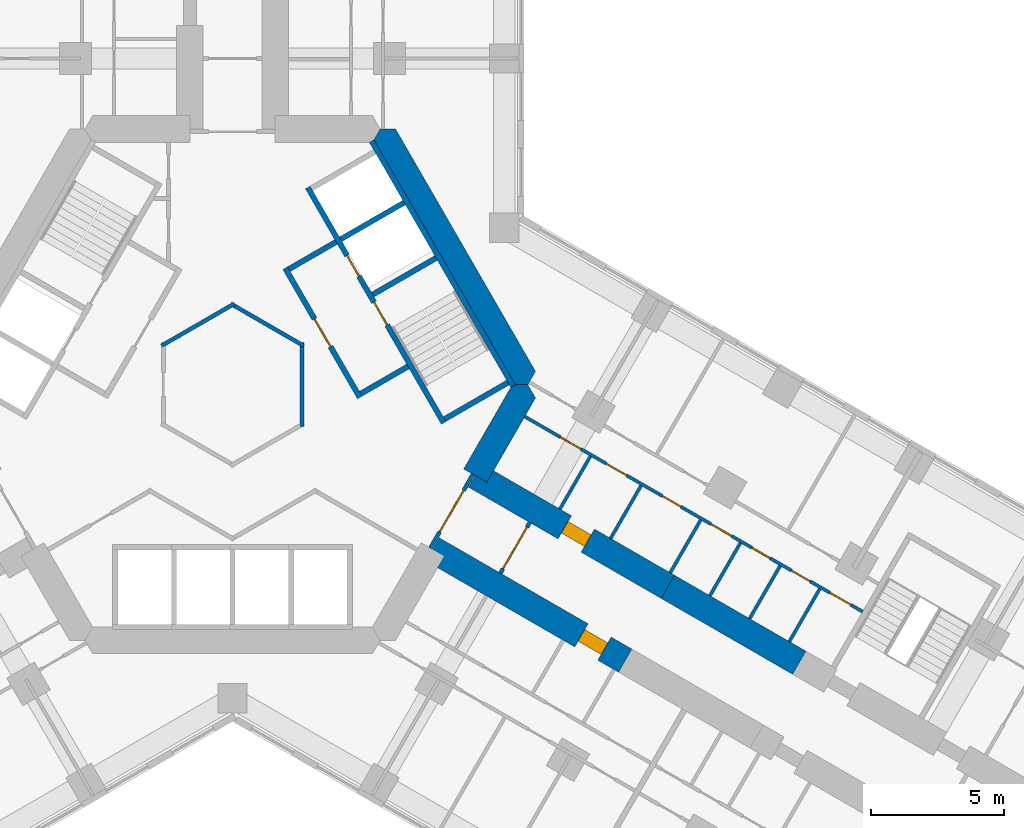
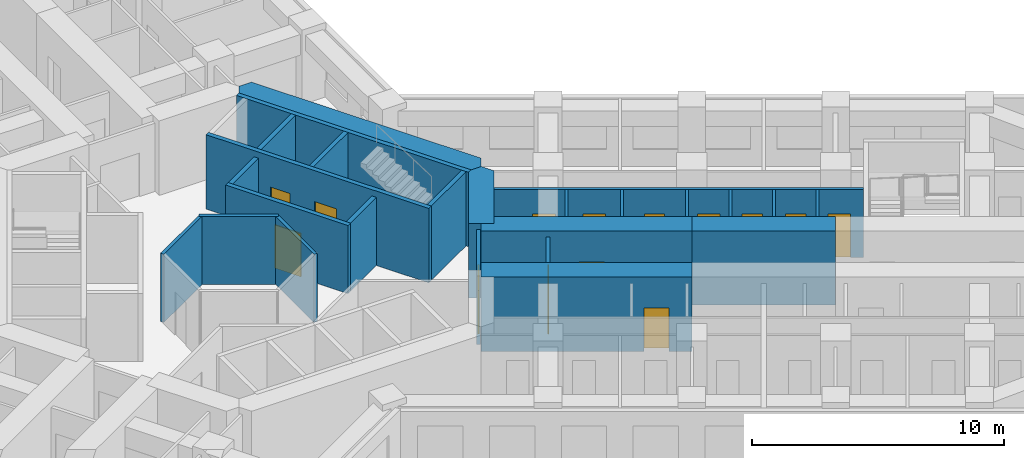
# One storey, part 15 of 21: 25 walls, 14 doors, 14 openings.
"""IFC4 building model written with IfcOpenShell, lengths in metres."""

import ifcopenshell
import ifcopenshell.guid

model = None  # the IFC model being written
_history = None  # IfcOwnerHistory: only IFC2X3 demands one
_inside = {}  # id of a spatial element -> (the spatial element, [elements in it])
_under = {}  # id of a project, library or spatial element -> (it, [spatial elements below it])
_declared = {}  # id of a project -> (the project, [libraries it declares])
_typed = {}  # id of a type object -> (the type object, [elements of that type])
_made_of = {}  # id of a material, layer set ... -> (it, [elements and type objects made of it])


def new_model(schema):
    """Start an empty IFC model of exactly this schema.

    Asked for "IFC4X3", IfcOpenShell would pick the latest addendum, in which some entities
    have other attributes; the version numbers below select the first issue.
    IFC2X3 requires an IfcOwnerHistory on every rooted entity: one is made here for all.
    """
    global model, _history
    if schema == "IFC4X3":
        model = ifcopenshell.file(schema_version=(4, 3, 0, 0))
    else:
        model = ifcopenshell.file(schema=schema)
    _inside.clear()
    _under.clear()
    _declared.clear()
    _typed.clear()
    _made_of.clear()
    _history = None
    if model.schema == "IFC2X3":
        org = make("IfcOrganization", Name="unknown")
        user = make(
            "IfcPersonAndOrganization",
            ThePerson=make("IfcPerson", FamilyName="unknown"),
            TheOrganization=org,
        )
        app = make(
            "IfcApplication",
            ApplicationDeveloper=org,
            Version="unknown",
            ApplicationFullName="unknown",
            ApplicationIdentifier="unknown",
        )
        _history = make(
            "IfcOwnerHistory",
            OwningUser=user,
            OwningApplication=app,
            ChangeAction="ADDED",
            CreationDate=0,
        )
    return model


def make(cls, **values):
    """One entity of the class cls with the attributes given. An attribute that is None is left unset."""
    return model.create_entity(
        cls, **{name: value for name, value in values.items() if value is not None}
    )


def rooted(cls, **values):
    """An entity with a GlobalId (a new one), such as an element, a storey or a relation."""
    return make(cls, GlobalId=ifcopenshell.guid.new(), OwnerHistory=_history, **values)


def si_unit(unit_type, name, prefix=None):
    """IfcSIUnit, for example si_unit("LENGTHUNIT", "METRE", prefix="MILLI")."""
    return make("IfcSIUnit", UnitType=unit_type, Prefix=prefix, Name=name)


def assignment(units):
    """IfcUnitAssignment: the units of a project."""
    return None if units is None else make("IfcUnitAssignment", Units=units)


def point(xyz):
    """IfcCartesianPoint."""
    return None if xyz is None else make("IfcCartesianPoint", Coordinates=xyz)


def direction(xyz):
    """IfcDirection."""
    return None if xyz is None else make("IfcDirection", DirectionRatios=xyz)


def frame(location, z_axis=None, x_axis=None):
    """IfcAxis2Placement3D, a coordinate frame: its origin and axes. An axis left out is left unset."""
    return make(
        "IfcAxis2Placement3D",
        Location=point(location),
        Axis=direction(z_axis),
        RefDirection=direction(x_axis),
    )


def frame_2d(location, x_axis=None):
    """IfcAxis2Placement2D, a coordinate frame in the plane: its origin and x axis."""
    return make(
        "IfcAxis2Placement2D", Location=point(location), RefDirection=direction(x_axis)
    )


def origin():
    """The frame at (0, 0, 0) with its axes left unset."""
    return frame((0.0, 0.0, 0.0))


def place(relative_to, where):
    """IfcLocalPlacement: puts the frame where relative to a parent placement (None: the world)."""
    return make(
        "IfcLocalPlacement", PlacementRelTo=relative_to, RelativePlacement=where
    )


def context(
    kind, dimensions, precision=None, world=None, true_north=None, identifier=None
):
    """IfcGeometricRepresentationContext, for example the 3D "Model" context."""
    return make(
        "IfcGeometricRepresentationContext",
        ContextIdentifier=identifier,
        ContextType=kind,
        CoordinateSpaceDimension=dimensions,
        Precision=precision,
        WorldCoordinateSystem=world,
        TrueNorth=true_north,
    )


def subcontext(parent, identifier, kind, view, scale=None):
    """IfcGeometricRepresentationSubContext, for example "Body" below "Model"."""
    return make(
        "IfcGeometricRepresentationSubContext",
        ContextIdentifier=identifier,
        ContextType=kind,
        ParentContext=parent,
        TargetScale=scale,
        TargetView=view,
    )


def project(units=None, contexts=None):
    """IfcProject with its units and contexts."""
    return rooted(
        "IfcProject",
        Name="project",
        RepresentationContexts=contexts,
        UnitsInContext=assignment(units),
    )


def spatial(cls, under=None, at=None, **own):
    """A site, building, storey or space (cls), placed at a placement, below another one or the project."""
    s = rooted(cls, ObjectPlacement=at, **own)
    if under is not None:
        _under.setdefault(under.id(), (under, []))[1].append(s)
    return s


def polyline(points):
    """IfcPolyline through the points."""
    return make("IfcPolyline", Points=[point(p) for p in points])


def profile(cls, at=None, kind="AREA", **sizes):
    """A parametric profile (cls). Its sizes go by their IFC names, for example OverallWidth=200.0."""
    return make(cls, ProfileType=kind, Position=at, **sizes)


def rectangle(**sizes):
    """IfcRectangleProfileDef."""
    return profile("IfcRectangleProfileDef", **sizes)


def outline(outer, holes=None, kind="AREA"):
    """IfcArbitraryClosedProfileDef: a profile drawn as a closed curve; with holes, ...WithVoids."""
    if holes is None:
        return make("IfcArbitraryClosedProfileDef", ProfileType=kind, OuterCurve=outer)
    return make(
        "IfcArbitraryProfileDefWithVoids",
        ProfileType=kind,
        OuterCurve=outer,
        InnerCurves=holes,
    )


def extrude(swept, where, along, depth):
    """IfcExtrudedAreaSolid: the profile swept, set in the frame where, extruded along a direction by depth."""
    return make(
        "IfcExtrudedAreaSolid",
        SweptArea=swept,
        Position=where,
        ExtrudedDirection=direction(along),
        Depth=depth,
    )


def shape(context_of_items, identifier, shape_type, items):
    """IfcShapeRepresentation: the items that make up one representation, for example the "Body"."""
    return make(
        "IfcShapeRepresentation",
        ContextOfItems=context_of_items,
        RepresentationIdentifier=identifier,
        RepresentationType=shape_type,
        Items=items,
    )


def material(Name=None, Category=None):
    """IfcMaterial."""
    return make("IfcMaterial", Name=Name, Category=Category)


def layer(
    of_material, thickness, ventilated=None, Name=None, Category=None, Priority=None
):
    """IfcMaterialLayer: one layer of a wall or slab, of a material (None: an air gap)."""
    return make(
        "IfcMaterialLayer",
        Material=of_material,
        LayerThickness=thickness,
        IsVentilated=ventilated,
        Name=Name,
        Category=Category,
        Priority=Priority,
    )


def layer_set(layers, Name=None):
    """IfcMaterialLayerSet."""
    return make("IfcMaterialLayerSet", MaterialLayers=layers, LayerSetName=Name)


def made_of(thing, what):
    """Note that an element or type object is made of a material, layer set ...; save() writes the relation."""
    if what is not None:
        _made_of.setdefault(what.id(), (what, []))[1].append(thing)
    return thing


def type_object(cls, material=None, **own):
    """A type object (cls), such as IfcWallType, which elements share."""
    return made_of(rooted(cls, **own), material)


def element(
    cls,
    number,
    at=None,
    inside=None,
    cuts=None,
    type_object=None,
    material=None,
    context=None,
    identifier="Body",
    shape_type=None,
    held_by="IfcProductDefinitionShape",
    body=None,
    shapes=None,
    **own,
):
    """One element of the class cls, such as IfcWall. Its Tag is "e" and its number.

    at: its placement. inside: the storey or other place that contains it. cuts: it is an
    opening in that element (IfcRelVoidsElement). A single representation is given by context,
    identifier, shape_type and body (its items); several are given by shapes. held_by: the class
    of the entity that holds the representations. save() writes the other relations.
    """
    e = rooted(cls, Tag="e%d" % number, ObjectPlacement=at, **own)
    if body is not None:
        shapes = [shape(context, identifier, shape_type, body)]
    if shapes is not None:
        e.Representation = make(held_by, Representations=shapes)
    if inside is not None:
        _inside.setdefault(inside.id(), (inside, []))[1].append(e)
    if cuts is not None:
        rooted(
            "IfcRelVoidsElement", RelatingBuildingElement=cuts, RelatedOpeningElement=e
        )
    if type_object is not None:
        _typed.setdefault(type_object.id(), (type_object, []))[1].append(e)
    return made_of(e, material)


def fill(opening, filler):
    """IfcRelFillsElement: the door or window that sits in an opening."""
    return rooted(
        "IfcRelFillsElement",
        RelatingOpeningElement=opening,
        RelatedBuildingElement=filler,
    )


def aggregate(whole, parts):
    """IfcRelAggregates: a whole, such as a stair, and the parts it consists of."""
    return rooted("IfcRelAggregates", RelatingObject=whole, RelatedObjects=parts)


def save(model, path):
    """Write the relations noted so far, then the file.

    IfcRelAggregates (storeys below a building ...), IfcRelContainedInSpatialStructure (elements
    in a storey), IfcRelDefinesByType, IfcRelAssociatesMaterial and IfcRelDeclares: one each for
    every whole, place, type object, material and project.
    """
    for whole, parts in _under.values():
        aggregate(whole, parts)
    for where, things in _inside.values():
        rooted(
            "IfcRelContainedInSpatialStructure",
            RelatedElements=things,
            RelatingStructure=where,
        )
    for kind, things in _typed.values():
        rooted("IfcRelDefinesByType", RelatedObjects=things, RelatingType=kind)
    for what, things in _made_of.values():
        rooted("IfcRelAssociatesMaterial", RelatedObjects=things, RelatingMaterial=what)
    for by, libraries in _declared.values():
        rooted("IfcRelDeclares", RelatingContext=by, RelatedDefinitions=libraries)
    model.write(path)


model = new_model("IFC4")

# Units and contexts
model_context = context("Model", 3, precision=1e-05, world=origin(), true_north=direction((0.0, 1.0)))
body_context = subcontext(model_context, "Body", "Model", "MODEL_VIEW")
ifc_project = project(units=[si_unit("LENGTHUNIT", "METRE"), si_unit("AREAUNIT", "SQUARE_METRE"), si_unit("VOLUMEUNIT", "CUBIC_METRE"), si_unit("PLANEANGLEUNIT", "RADIAN"), si_unit("MASSUNIT", "GRAM", prefix="KILO")], contexts=[model_context])

# Site, building, storey
site_placement = place(None, origin())
site = spatial("IfcSite", under=ifc_project, at=site_placement, CompositionType="ELEMENT")
building_placement = place(site_placement, origin())
building = spatial("IfcBuilding", under=site, at=building_placement, Name="Kosmar Iwan School Tower", CompositionType="ELEMENT")
storey_placement = place(building_placement, frame((0.0, 0.0, 28.800048828125)))
storey = spatial("IfcBuildingStorey", under=building, at=storey_placement, Name="L06", CompositionType="ELEMENT", Elevation=28.800048828125)

# Walls
ifc_material_1 = material(Name="Gypsum board on steel studs, fire-rated", Category="steel")
ifc_layer_1 = layer(ifc_material_1, 0.14990234375)
ifc_layer_set_1 = layer_set([ifc_layer_1], Name="Core room partition 150")
wall_type_1 = type_object("IfcWallType", Name="Core room partition 150", PredefinedType="PARTITIONING", material=ifc_layer_set_1)
for number, where, z_axis, x_axis, name in (
    (1, (-2.6650390625, 1.463623046875, 0.0), (0.0, 0.0, 1.0), (0.866023080072, 0.500004024767, 0.0), "Core room partition L06-CW7"),
    (2, (-0.06494140625, 3.039794921875, 0.0), (0.0, 0.0, 1.0), (0.866023080072, -0.500004024767, 0.0), "Core room partition L06-CW8"),
    (3, (2.60009765625, 1.576171875, 0.0), (0.0, 0.0, 1.0), (0.0, -1.0, 0.0), "Core room partition L06-CW9"),
):
    element("IfcWall", number, at=place(storey_placement, frame(where, z_axis=z_axis, x_axis=x_axis)), inside=storey, type_object=wall_type_1, Name=name, PredefinedType="PARTITIONING", context=body_context, shape_type="SweptSolid", body=[
        extrude(rectangle(XDim=3.15234375, YDim=0.14990234375, at=frame_2d((1.576171875, 0.0))), origin(), (0.0, 0.0, 1.0), 3.300048828125),
    ])
ifc_material_2 = material(Name="Concrete C50/60", Category="concrete")
ifc_layer_2 = layer(ifc_material_2, 1.0)
ifc_layer_set_2 = layer_set([ifc_layer_2], Name="Core wall 1000")
wall_type_2 = type_object("IfcWallType", Name="Core wall 1000", PredefinedType="SHEAR", material=ifc_layer_set_2)
wall_1_placement = place(storey_placement, origin())
element("IfcWall", 4, at=wall_1_placement, inside=storey, type_object=wall_type_2, Name="Core wall F030", PredefinedType="SHEAR", context=body_context, shape_type="SweptSolid", body=[
    extrude(outline(polyline([(10.5078125, 0.0), (11.085205078125, 0.0), (11.373779296875, 0.5), (6.119873046875, 9.60009765625), (5.54248046875, 9.60009765625), (5.25390625, 9.10009765625), (10.5078125, 0.0)])), origin(), (0.0, 0.0, 1.0), 3.599853515625),
])
wall_2_placement = place(storey_placement, origin())
element("IfcWall", 5, at=wall_2_placement, inside=storey, type_object=wall_type_2, Name="Core wall F330b", PredefinedType="SHEAR", context=body_context, shape_type="SweptSolid", body=[
    extrude(outline(polyline([(9.546875, -3.664306640625), (11.373779296875, -0.5), (11.085205078125, 0.0), (10.5078125, 0.0), (8.680908203125, -3.164306640625), (9.546875, -3.664306640625)])), origin(), (0.0, 0.0, 1.0), 3.599853515625),
])

# Wall, opening, door
ifc_material_3 = material(Name="Concrete C50/60", Category="concrete")
ifc_layer_3 = layer(ifc_material_3, 1.0)
ifc_layer_set_3 = layer_set([ifc_layer_3], Name="Corridor buttress wall 1000")
wall_type_3 = type_object("IfcWallType", Name="Corridor buttress wall 1000", PredefinedType="SHEAR", material=ifc_layer_set_3)
wall_3_placement = place(storey_placement, frame((9.11376953125, -3.414306640625, 0.0), z_axis=(0.0, 0.0, 1.0), x_axis=(0.866026859388, -0.499997478812, 0.0)))
wall_3 = element("IfcWall", 6, at=wall_3_placement, inside=storey, type_object=wall_type_3, Name="Corridor wall CL", PredefinedType="SHEAR", context=body_context, shape_type="SweptSolid", body=[
    extrude(rectangle(XDim=8.35009765625, YDim=1.0, at=frame_2d((4.175048828125, 0.0))), origin(), (0.0, 0.0, 1.0), 3.599853515625),
])
opening_1_placement = place(wall_3_placement, frame((3.8798828125, 0.0, 0.0)))
opening_1 = element("IfcOpeningElement", 7, at=opening_1_placement, cuts=wall_3, Name="Opening D1", PredefinedType="OPENING", context=body_context, shape_type="SweptSolid", body=[
    extrude(rectangle(XDim=1.0, YDim=2.10009765625, at=frame_2d((0.5, 1.050048828125))), frame((0.0, 0.511962890625, 0.0), z_axis=(0.0, -1.0, 0.0), x_axis=(1.0, 0.0, 0.0)), (0.0, 0.0, 1.0), 1.02392578125),
])
ifc_material_4 = material(Name="Timber fire door in steel frame", Category="steel")
door_type_1 = type_object("IfcDoorType", Name="Flat entrance door 1000x2100", OperationType="SINGLE_SWING_LEFT", PredefinedType="DOOR", material=ifc_material_4)
door_1_placement = place(opening_1_placement, origin())
door_1 = element("IfcDoor", 8, at=door_1_placement, inside=storey, type_object=door_type_1, Name="Flat L06-CL1 entrance door", OperationType="SINGLE_SWING_LEFT", OverallHeight=2.10009765625, OverallWidth=1.0, PredefinedType="DOOR", context=body_context, shape_type="SweptSolid", body=[
    extrude(rectangle(XDim=1.0, YDim=2.10009765625, at=frame_2d((0.5, 1.050048828125))), frame((0.0, 0.25, 0.0), z_axis=(0.0, -1.0, 0.0), x_axis=(1.0, 0.0, 0.0)), (0.0, 0.0, 1.0), 0.5),
])
fill(opening_1, door_1)

# Wall
wall_4_placement = place(storey_placement, frame((16.34521484375, -7.58935546875, 0.0), z_axis=(0.0, 0.0, 1.0), x_axis=(0.866015111908, -0.50001782563, 0.0)))
element("IfcWall", 9, at=wall_4_placement, inside=storey, type_object=wall_type_3, Name="Corridor wall CL bay 2", PredefinedType="SHEAR", context=body_context, shape_type="SweptSolid", body=[
    extrude(rectangle(XDim=5.699951171875, YDim=1.0, at=frame_2d((2.85009765625, 0.0))), origin(), (0.0, 0.0, 1.0), 3.599853515625),
])

# Wall, opening, door
wall_5_placement = place(storey_placement, frame((7.513916015625, -6.185546875, 0.0), z_axis=(0.0, 0.0, 1.0), x_axis=(0.866019549707, -0.500010139422, 0.0)))
wall_5 = element("IfcWall", 10, at=wall_5_placement, inside=storey, type_object=wall_type_3, Name="Corridor wall CR", PredefinedType="SHEAR", context=body_context, shape_type="SweptSolid", body=[
    extrude(rectangle(XDim=8.349853515625, YDim=1.0, at=frame_2d((4.1748046875, 0.0))), origin(), (0.0, 0.0, 1.0), 3.599853515625),
])
opening_2_placement = place(wall_5_placement, frame((6.449951171875, 0.0, 0.0)))
opening_2 = element("IfcOpeningElement", 11, at=opening_2_placement, cuts=wall_5, Name="Opening D1", PredefinedType="OPENING", context=body_context, shape_type="SweptSolid", body=[
    extrude(rectangle(XDim=1.0, YDim=2.10009765625, at=frame_2d((0.5, 1.050048828125))), frame((0.0, 0.511962890625, 0.0), z_axis=(0.0, -1.0, 0.0), x_axis=(1.0, 0.0, 0.0)), (0.0, 0.0, 1.0), 1.02392578125),
])
door_2_placement = place(opening_2_placement, origin())
door_2 = element("IfcDoor", 12, at=door_2_placement, inside=storey, type_object=door_type_1, Name="Flat L06-CR1 entrance door", OperationType="SINGLE_SWING_RIGHT", OverallHeight=2.10009765625, OverallWidth=1.0, PredefinedType="DOOR", context=body_context, shape_type="SweptSolid", body=[
    extrude(rectangle(XDim=1.0, YDim=2.10009765625, at=frame_2d((0.5, 1.050048828125))), frame((0.0, 0.25, 0.0), z_axis=(0.0, -1.0, 0.0), x_axis=(1.0, 0.0, 0.0)), (0.0, 0.0, 1.0), 0.5),
])
fill(opening_2, door_2)

ifc_material_5 = material(Name="Gypsum board on steel studs, fire-rated", Category="steel")
ifc_layer_4 = layer(ifc_material_5, 0.14990234375)
ifc_layer_set_4 = layer_set([ifc_layer_4], Name="Corridor end wall 150")
wall_type_4 = type_object("IfcWallType", Name="Corridor end wall 150", PredefinedType="PARTITIONING", material=ifc_layer_set_4)
wall_6_placement = place(storey_placement, frame((10.058837890625, -7.07763671875, 0.0), z_axis=(0.0, 0.0, 1.0), x_axis=(0.50002983664, 0.866008176907, 0.0)))
wall_6 = element("IfcWall", 13, at=wall_6_placement, inside=storey, type_object=wall_type_4, Name="Partition L06-C-HW", PredefinedType="PARTITIONING", context=body_context, shape_type="SweptSolid", body=[
    extrude(rectangle(XDim=2.199951171875, YDim=0.14990234375, at=frame_2d((1.10009765625, 0.0))), origin(), (0.0, 0.0, 1.0), 3.300048828125),
])
opening_3_placement = place(wall_6_placement, frame((0.199951171875, 0.0, 0.0)))
opening_3 = element("IfcOpeningElement", 14, at=opening_3_placement, cuts=wall_6, Name="Opening D9", PredefinedType="OPENING", context=body_context, shape_type="SweptSolid", body=[
    extrude(rectangle(XDim=1.800048828125, YDim=2.10009765625, at=frame_2d((0.89990234375, 1.050048828125))), frame((0.0, 0.0869140625, 0.0), z_axis=(0.0, -1.0, 0.0), x_axis=(1.0, 0.0, 0.0)), (0.0, 0.0, 1.0), 0.173828125),
])
ifc_material_6 = material(Name="Steel framed glazed smoke door", Category="steel")
door_type_2 = type_object("IfcDoorType", Name="Corridor smoke door pair 1800x2100", OperationType="DOUBLE_DOOR_DOUBLE_SWING", PredefinedType="DOOR", material=ifc_material_6)
door_3_placement = place(opening_3_placement, origin())
door_3 = element("IfcDoor", 15, at=door_3_placement, inside=storey, type_object=door_type_2, Name="Entrance vestibule smoke doors L06-C", OperationType="DOUBLE_DOOR_DOUBLE_SWING", OverallHeight=2.10009765625, OverallWidth=1.800048828125, PredefinedType="DOOR", context=body_context, shape_type="SweptSolid", body=[
    extrude(rectangle(XDim=1.800048828125, YDim=2.10009765625, at=frame_2d((0.89990234375, 1.050048828125))), frame((0.0, 0.02490234375, 0.0), z_axis=(0.0, -1.0, 0.0), x_axis=(1.0, 0.0, 0.0)), (0.0, 0.0, 1.0), 0.050048828125),
])
fill(opening_3, door_3)

ifc_material_7 = material(Name="Steel framed glazed screen", Category="steel")
ifc_layer_5 = layer(ifc_material_7, 0.14990234375)
ifc_layer_set_5 = layer_set([ifc_layer_5], Name="Corridor screen wall 150")
wall_type_5 = type_object("IfcWallType", Name="Corridor screen wall 150", PredefinedType="PARTITIONING", material=ifc_layer_set_5)
wall_7_placement = place(storey_placement, frame((7.42724609375, -6.1357421875, 0.0), z_axis=(0.0, 0.0, 1.0), x_axis=(0.499995408039, 0.866028054938, 0.0)))
wall_7 = element("IfcWall", 16, at=wall_7_placement, inside=storey, type_object=wall_type_5, Name="Corridor screen C L06", PredefinedType="PARTITIONING", context=body_context, shape_type="SweptSolid", body=[
    extrude(rectangle(XDim=3.2001953125, YDim=0.14990234375, at=frame_2d((1.60009765625, 0.0))), origin(), (0.0, 0.0, 1.0), 3.300048828125),
])
opening_4_placement = place(wall_7_placement, frame((0.699951171875, 0.0, 0.0)))
opening_4 = element("IfcOpeningElement", 17, at=opening_4_placement, cuts=wall_7, Name="Opening D9", PredefinedType="OPENING", context=body_context, shape_type="SweptSolid", body=[
    extrude(rectangle(XDim=1.800048828125, YDim=2.10009765625, at=frame_2d((0.89990234375, 1.050048828125))), frame((0.0, 0.0869140625, 0.0), z_axis=(0.0, -1.0, 0.0), x_axis=(1.0, 0.0, 0.0)), (0.0, 0.0, 1.0), 0.173828125),
])
door_4_placement = place(opening_4_placement, origin())
door_4 = element("IfcDoor", 18, at=door_4_placement, inside=storey, type_object=door_type_2, Name="Corridor doors C L06", OperationType="DOUBLE_DOOR_DOUBLE_SWING", OverallHeight=2.10009765625, OverallWidth=1.800048828125, PredefinedType="DOOR", context=body_context, shape_type="SweptSolid", body=[
    extrude(rectangle(XDim=1.800048828125, YDim=2.10009765625, at=frame_2d((0.89990234375, 1.050048828125))), frame((0.0, 0.02490234375, 0.0), z_axis=(0.0, -1.0, 0.0), x_axis=(1.0, 0.0, 0.0)), (0.0, 0.0, 1.0), 0.050048828125),
])
fill(opening_4, door_4)

# Wall, openings, doors
ifc_material_8 = material(Name="Gypsum board on steel studs", Category="steel")
ifc_layer_6 = layer(ifc_material_8, 0.1201171875)
ifc_layer_set_6 = layer_set([ifc_layer_6], Name="Dwelling partition 120")
wall_type_6 = type_object("IfcWallType", Name="Dwelling partition 120", PredefinedType="PARTITIONING", material=ifc_layer_set_6)
wall_8_placement = place(storey_placement, frame((10.971923828125, -1.1962890625, 0.0), z_axis=(0.0, 0.0, 1.0), x_axis=(0.866026568746, -0.499997982221, 0.0)))
wall_8 = element("IfcWall", 19, at=wall_8_placement, inside=storey, type_object=wall_type_6, Name="Partition L06-CL1-W1", PredefinedType="PARTITIONING", context=body_context, shape_type="SweptSolid", body=[
    extrude(rectangle(XDim=14.64990234375, YDim=0.1201171875, at=frame_2d((7.324951171875, 0.0))), origin(), (0.0, 0.0, 1.0), 3.300048828125),
])
opening_5_placement = place(wall_8_placement, frame((1.5400390625, 0.0, 0.0)))
opening_5 = element("IfcOpeningElement", 20, at=opening_5_placement, cuts=wall_8, Name="Opening D2", PredefinedType="OPENING", context=body_context, shape_type="SweptSolid", body=[
    extrude(rectangle(XDim=0.89990234375, YDim=2.10009765625, at=frame_2d((0.449951171875, 1.050048828125))), frame((0.0, 0.072021484375, 0.0), z_axis=(0.0, -1.0, 0.0), x_axis=(1.0, 0.0, 0.0)), (0.0, 0.0, 1.0), 0.14404296875),
])
opening_6_placement = place(wall_8_placement, frame((3.530029296875, 0.0, 0.0)))
opening_6 = element("IfcOpeningElement", 21, at=opening_6_placement, cuts=wall_8, Name="Opening D2", PredefinedType="OPENING", context=body_context, shape_type="SweptSolid", body=[
    extrude(rectangle(XDim=0.89990234375, YDim=2.10009765625, at=frame_2d((0.449951171875, 1.050048828125))), frame((0.0, 0.072021484375, 0.0), z_axis=(0.0, -1.0, 0.0), x_axis=(1.0, 0.0, 0.0)), (0.0, 0.0, 1.0), 0.14404296875),
])
opening_7_placement = place(wall_8_placement, frame((5.971435546875, 0.0, 0.0)))
opening_7 = element("IfcOpeningElement", 22, at=opening_7_placement, cuts=wall_8, Name="Opening D3", PredefinedType="OPENING", context=body_context, shape_type="SweptSolid", body=[
    extrude(rectangle(XDim=0.800048828125, YDim=2.10009765625, at=frame_2d((0.39990234375, 1.050048828125))), frame((0.0, 0.072021484375, 0.0), z_axis=(0.0, -1.0, 0.0), x_axis=(1.0, 0.0, 0.0)), (0.0, 0.0, 1.0), 0.14404296875),
])
opening_8_placement = place(wall_8_placement, frame((8.07373046875, 0.0, 0.0)))
opening_8 = element("IfcOpeningElement", 23, at=opening_8_placement, cuts=wall_8, Name="Opening D2", PredefinedType="OPENING", context=body_context, shape_type="SweptSolid", body=[
    extrude(rectangle(XDim=0.89990234375, YDim=2.10009765625, at=frame_2d((0.449951171875, 1.050048828125))), frame((0.0, 0.072021484375, 0.0), z_axis=(0.0, -1.0, 0.0), x_axis=(1.0, 0.0, 0.0)), (0.0, 0.0, 1.0), 0.14404296875),
])
opening_9_placement = place(wall_8_placement, frame((9.845458984375, 0.0, 0.0)))
opening_9 = element("IfcOpeningElement", 24, at=opening_9_placement, cuts=wall_8, Name="Opening D3", PredefinedType="OPENING", context=body_context, shape_type="SweptSolid", body=[
    extrude(rectangle(XDim=0.800048828125, YDim=2.10009765625, at=frame_2d((0.39990234375, 1.050048828125))), frame((0.0, 0.072021484375, 0.0), z_axis=(0.0, -1.0, 0.0), x_axis=(1.0, 0.0, 0.0)), (0.0, 0.0, 1.0), 0.14404296875),
])
opening_10_placement = place(wall_8_placement, frame((11.5673828125, 0.0, 0.0)))
opening_10 = element("IfcOpeningElement", 25, at=opening_10_placement, cuts=wall_8, Name="Opening D3", PredefinedType="OPENING", context=body_context, shape_type="SweptSolid", body=[
    extrude(rectangle(XDim=0.800048828125, YDim=2.10009765625, at=frame_2d((0.39990234375, 1.050048828125))), frame((0.0, 0.072021484375, 0.0), z_axis=(0.0, -1.0, 0.0), x_axis=(1.0, 0.0, 0.0)), (0.0, 0.0, 1.0), 0.14404296875),
])
opening_11_placement = place(wall_8_placement, frame((13.239013671875, 0.0, 0.0)))
opening_11 = element("IfcOpeningElement", 26, at=opening_11_placement, cuts=wall_8, Name="Opening D2", PredefinedType="OPENING", context=body_context, shape_type="SweptSolid", body=[
    extrude(rectangle(XDim=0.89990234375, YDim=2.10009765625, at=frame_2d((0.449951171875, 1.050048828125))), frame((0.0, 0.072021484375, 0.0), z_axis=(0.0, -1.0, 0.0), x_axis=(1.0, 0.0, 0.0)), (0.0, 0.0, 1.0), 0.14404296875),
])
ifc_material_9 = material(Name="Timber door in timber frame", Category="wood")
door_type_3 = type_object("IfcDoorType", Name="Internal door 900x2100", OperationType="SINGLE_SWING_LEFT", PredefinedType="DOOR", material=ifc_material_9)
door_5_placement = place(opening_5_placement, frame((0.89990234375, 0.0, 0.0), z_axis=(0.0, 0.0, 1.0), x_axis=(-1.0, 0.0, 0.0)))
door_5 = element("IfcDoor", 27, at=door_5_placement, inside=storey, type_object=door_type_3, Name="Utility room door L06-CL1-S1", OperationType="SINGLE_SWING_RIGHT", OverallHeight=2.10009765625, OverallWidth=0.89990234375, PredefinedType="DOOR", context=body_context, shape_type="SweptSolid", body=[
    extrude(rectangle(XDim=0.89990234375, YDim=2.10009765625, at=frame_2d((0.449951171875, 1.050048828125))), frame((0.0, 0.02490234375, 0.0), z_axis=(0.0, -1.0, 0.0), x_axis=(1.0, 0.0, 0.0)), (0.0, 0.0, 1.0), 0.050048828125),
])
fill(opening_5, door_5)
door_6_placement = place(opening_6_placement, origin())
door_6 = element("IfcDoor", 28, at=door_6_placement, inside=storey, type_object=door_type_3, Name="Entrance hall door L06-CL1-S2", OperationType="SINGLE_SWING_LEFT", OverallHeight=2.10009765625, OverallWidth=0.89990234375, PredefinedType="DOOR", context=body_context, shape_type="SweptSolid", body=[
    extrude(rectangle(XDim=0.89990234375, YDim=2.10009765625, at=frame_2d((0.449951171875, 1.050048828125))), frame((0.0, 0.02490234375, 0.0), z_axis=(0.0, -1.0, 0.0), x_axis=(1.0, 0.0, 0.0)), (0.0, 0.0, 1.0), 0.050048828125),
])
fill(opening_6, door_6)
door_7_placement = place(opening_8_placement, origin())
door_7 = element("IfcDoor", 29, at=door_7_placement, inside=storey, type_object=door_type_3, Name="Pantry door L06-CL1-S4", OperationType="SINGLE_SWING_RIGHT", OverallHeight=2.10009765625, OverallWidth=0.89990234375, PredefinedType="DOOR", context=body_context, shape_type="SweptSolid", body=[
    extrude(rectangle(XDim=0.89990234375, YDim=2.10009765625, at=frame_2d((0.449951171875, 1.050048828125))), frame((0.0, 0.02490234375, 0.0), z_axis=(0.0, -1.0, 0.0), x_axis=(1.0, 0.0, 0.0)), (0.0, 0.0, 1.0), 0.050048828125),
])
fill(opening_8, door_7)
door_8_placement = place(opening_11_placement, frame((0.89990234375, 0.0, 0.0), z_axis=(0.0, 0.0, 1.0), x_axis=(-1.0, 0.0, 0.0)))
door_8 = element("IfcDoor", 30, at=door_8_placement, inside=storey, type_object=door_type_3, Name="Dressing room door L06-CL1-S7", OperationType="SINGLE_SWING_LEFT", OverallHeight=2.10009765625, OverallWidth=0.89990234375, PredefinedType="DOOR", context=body_context, shape_type="SweptSolid", body=[
    extrude(rectangle(XDim=0.89990234375, YDim=2.10009765625, at=frame_2d((0.449951171875, 1.050048828125))), frame((0.0, 0.02490234375, 0.0), z_axis=(0.0, -1.0, 0.0), x_axis=(1.0, 0.0, 0.0)), (0.0, 0.0, 1.0), 0.050048828125),
])
fill(opening_11, door_8)
ifc_material_10 = material(Name="Timber door in timber frame", Category="wood")
door_type_4 = type_object("IfcDoorType", Name="Sanitary room door 800x2100", OperationType="SINGLE_SWING_LEFT", PredefinedType="DOOR", material=ifc_material_10)
door_9_placement = place(opening_7_placement, origin())
door_9 = element("IfcDoor", 31, at=door_9_placement, inside=storey, type_object=door_type_4, Name="Bathroom door L06-CL1-S3", OperationType="SINGLE_SWING_LEFT", OverallHeight=2.10009765625, OverallWidth=0.800048828125, PredefinedType="DOOR", context=body_context, shape_type="SweptSolid", body=[
    extrude(rectangle(XDim=0.800048828125, YDim=2.10009765625, at=frame_2d((0.39990234375, 1.050048828125))), frame((0.0, 0.02490234375, 0.0), z_axis=(0.0, -1.0, 0.0), x_axis=(1.0, 0.0, 0.0)), (0.0, 0.0, 1.0), 0.050048828125),
])
fill(opening_7, door_9)
door_10_placement = place(opening_9_placement, origin())
door_10 = element("IfcDoor", 32, at=door_10_placement, inside=storey, type_object=door_type_4, Name="WC door L06-CL1-S5", OperationType="SINGLE_SWING_RIGHT", OverallHeight=2.10009765625, OverallWidth=0.800048828125, PredefinedType="DOOR", context=body_context, shape_type="SweptSolid", body=[
    extrude(rectangle(XDim=0.800048828125, YDim=2.10009765625, at=frame_2d((0.39990234375, 1.050048828125))), frame((0.0, 0.02490234375, 0.0), z_axis=(0.0, -1.0, 0.0), x_axis=(1.0, 0.0, 0.0)), (0.0, 0.0, 1.0), 0.050048828125),
])
fill(opening_9, door_10)
door_11_placement = place(opening_10_placement, origin())
door_11 = element("IfcDoor", 33, at=door_11_placement, inside=storey, type_object=door_type_4, Name="Store door L06-CL1-S6", OperationType="SINGLE_SWING_RIGHT", OverallHeight=2.10009765625, OverallWidth=0.800048828125, PredefinedType="DOOR", context=body_context, shape_type="SweptSolid", body=[
    extrude(rectangle(XDim=0.800048828125, YDim=2.10009765625, at=frame_2d((0.39990234375, 1.050048828125))), frame((0.0, 0.02490234375, 0.0), z_axis=(0.0, -1.0, 0.0), x_axis=(1.0, 0.0, 0.0)), (0.0, 0.0, 1.0), 0.050048828125),
])
fill(opening_10, door_11)

# Walls
for number, where, z_axis, x_axis, name in (
    (34, (12.291015625, -4.67138671875, 0.0), (0.0, 0.0, 1.0), (0.500014693593, 0.866016920268, 0.0), "Partition L06-CL1-Y1"),
    (35, (14.1962890625, -5.771240234375, 0.0), (0.0, 0.0, 1.0), (0.500014693593, 0.866016920268, 0.0), "Partition L06-CL1-Y2"),
    (36, (16.432861328125, -7.062744140625, 0.0), (0.0, 0.0, 1.0), (0.500014693593, 0.866016920268, 0.0), "Partition L06-CL1-Y3"),
    (37, (17.924072265625, -7.923583984375, 0.0), (0.0, 0.0, 1.0), (0.500014693593, 0.866016920268, 0.0), "Partition L06-CL1-Y4"),
    (38, (19.415283203125, -8.784423828125, 0.0), (0.0, 0.0, 1.0), (0.500014693593, 0.866016920268, 0.0), "Partition L06-CL1-Y5"),
):
    element("IfcWall", number, at=place(storey_placement, frame(where, z_axis=z_axis, x_axis=x_axis)), inside=storey, type_object=wall_type_6, Name=name, PredefinedType="PARTITIONING", context=body_context, shape_type="SweptSolid", body=[
        extrude(rectangle(XDim=2.2900390625, YDim=0.1201171875, at=frame_2d((1.14501953125, 0.0))), origin(), (0.0, 0.0, 1.0), 3.300048828125),
    ])
wall_9_placement = place(storey_placement, frame((20.906494140625, -9.6455078125, 0.0), z_axis=(0.0, 0.0, 1.0), x_axis=(0.499968531483, 0.866043571379, 0.0)))
element("IfcWall", 39, at=wall_9_placement, inside=storey, type_object=wall_type_6, Name="Partition L06-CL1-Y6", PredefinedType="PARTITIONING", context=body_context, shape_type="SweptSolid", body=[
    extrude(rectangle(XDim=2.290283203125, YDim=0.1201171875, at=frame_2d((1.14501953125, 0.0))), origin(), (0.0, 0.0, 1.0), 3.300048828125),
])

# Wall, opening, door
ifc_material_11 = material(Name="Concrete block masonry", Category="masonry")
ifc_layer_7 = layer(ifc_material_11, 0.199951171875)
ifc_layer_set_7 = layer_set([ifc_layer_7], Name="Fire lobby wall 200")
wall_type_7 = type_object("IfcWallType", Name="Fire lobby wall 200", PredefinedType="PARTITIONING", material=ifc_layer_set_7)
wall_10_placement = place(storey_placement, frame((4.777587890625, -0.474853515625, 0.0), z_axis=(0.0, 0.0, 1.0), x_axis=(-0.500016814911, 0.866015695474, 0.0)))
wall_10 = element("IfcWall", 40, at=wall_10_placement, inside=storey, type_object=wall_type_7, Name="Firefighting lobby wall ST1", PredefinedType="PARTITIONING", context=body_context, shape_type="SweptSolid", body=[
    extrude(rectangle(XDim=5.599853515625, YDim=0.199951171875, at=frame_2d((2.7998046875, 0.0))), origin(), (0.0, 0.0, 1.0), 3.300048828125),
])
opening_12_placement = place(wall_10_placement, frame((2.199951171875, 0.0, 0.0)))
opening_12 = element("IfcOpeningElement", 41, at=opening_12_placement, cuts=wall_10, Name="Opening D7", PredefinedType="OPENING", context=body_context, shape_type="SweptSolid", body=[
    extrude(rectangle(XDim=1.199951171875, YDim=2.10009765625, at=frame_2d((0.60009765625, 1.050048828125))), frame((0.0, 0.112060546875, 0.0), z_axis=(0.0, -1.0, 0.0), x_axis=(1.0, 0.0, 0.0)), (0.0, 0.0, 1.0), 0.223876953125),
])
ifc_material_12 = material(Name="Steel fire door", Category="steel")
door_type_5 = type_object("IfcDoorType", Name="Fire lobby door 1200x2100", OperationType="SINGLE_SWING_LEFT", PredefinedType="DOOR", material=ifc_material_12)
door_12_placement = place(opening_12_placement, frame((1.199951171875, 0.0, 0.0), z_axis=(0.0, 0.0, 1.0), x_axis=(-1.0, 0.0, 0.0)))
door_12 = element("IfcDoor", 42, at=door_12_placement, inside=storey, type_object=door_type_5, Name="Firefighting lobby door ST1 L06", OperationType="SINGLE_SWING_RIGHT", OverallHeight=2.10009765625, OverallWidth=1.199951171875, PredefinedType="DOOR", context=body_context, shape_type="SweptSolid", body=[
    extrude(rectangle(XDim=1.199951171875, YDim=2.10009765625, at=frame_2d((0.60009765625, 1.050048828125))), frame((0.0, 0.02490234375, 0.0), z_axis=(0.0, -1.0, 0.0), x_axis=(1.0, 0.0, 0.0)), (0.0, 0.0, 1.0), 0.050048828125),
])
fill(opening_12, door_12)

# Walls
wall_11_placement = place(storey_placement, frame((4.814208984375, -0.33837890625, 0.0), z_axis=(0.0, 0.0, 1.0), x_axis=(0.865969381856, 0.500097020274, 0.0)))
element("IfcWall", 43, at=wall_11_placement, inside=storey, type_object=wall_type_7, Name="Firefighting lobby wall ST1", PredefinedType="PARTITIONING", context=body_context, shape_type="SweptSolid", body=[
    extrude(rectangle(XDim=2.0498046875, YDim=0.199951171875, at=frame_2d((1.02490234375, 0.0))), origin(), (0.0, 0.0, 1.0), 3.300048828125),
])
wall_12_placement = place(storey_placement, frame((2.114013671875, 4.33837890625, 0.0), z_axis=(0.0, 0.0, 1.0), x_axis=(0.866050731258, 0.499956128963, 0.0)))
element("IfcWall", 44, at=wall_12_placement, inside=storey, type_object=wall_type_7, Name="Firefighting lobby wall ST1", PredefinedType="PARTITIONING", context=body_context, shape_type="SweptSolid", body=[
    extrude(rectangle(XDim=2.050048828125, YDim=0.199951171875, at=frame_2d((1.02490234375, 0.0))), origin(), (0.0, 0.0, 1.0), 3.300048828125),
])

# Wall, openings, doors
ifc_material_13 = material(Name="Concrete C50/60", Category="concrete")
ifc_layer_8 = layer(ifc_material_13, 0.199951171875)
ifc_layer_set_8 = layer_set([ifc_layer_8], Name="Lift shaft wall 200")
wall_type_8 = type_object("IfcWallType", Name="Lift shaft wall 200", PredefinedType="SHEAR", material=ifc_layer_set_8)
wall_13_placement = place(storey_placement, frame((7.926025390625, -1.42822265625, 0.0), z_axis=(0.0, 0.0, 1.0), x_axis=(-0.499998023675, 0.866026544813, 0.0)))
wall_13 = element("IfcWall", 45, at=wall_13_placement, inside=storey, type_object=wall_type_8, Name="Lift and stair front wall AC", PredefinedType="SHEAR", context=body_context, shape_type="SweptSolid", body=[
    extrude(rectangle(XDim=10.19970703125, YDim=0.199951171875, at=frame_2d((5.099853515625, 0.0))), origin(), (0.0, 0.0, 1.0), 3.599853515625),
])
opening_13_placement = place(wall_13_placement, frame((6.35009765625, 0.0, 0.0)))
opening_13 = element("IfcOpeningElement", 46, at=opening_13_placement, cuts=wall_13, Name="Opening LD2", PredefinedType="OPENING", context=body_context, shape_type="SweptSolid", body=[
    extrude(rectangle(XDim=0.89990234375, YDim=2.10009765625, at=frame_2d((0.449951171875, 1.050048828125))), frame((0.0, 0.112060546875, 0.0), z_axis=(0.0, -1.0, 0.0), x_axis=(1.0, 0.0, 0.0)), (0.0, 0.0, 1.0), 0.223876953125),
])
opening_14_placement = place(wall_13_placement, frame((4.22998046875, 0.0, 0.0)))
opening_14 = element("IfcOpeningElement", 47, at=opening_14_placement, cuts=wall_13, Name="Opening D6", PredefinedType="OPENING", context=body_context, shape_type="SweptSolid", body=[
    extrude(rectangle(XDim=1.0, YDim=2.10009765625, at=frame_2d((0.5, 1.050048828125))), frame((0.0, 0.112060546875, 0.0), z_axis=(0.0, -1.0, 0.0), x_axis=(1.0, 0.0, 0.0)), (0.0, 0.0, 1.0), 0.223876953125),
])
ifc_material_14 = material(Name="Stainless steel sliding lift door", Category="steel")
door_type_6 = type_object("IfcDoorType", Name="Firefighting lift landing door 900x2100", OperationType="SLIDING_TO_LEFT", PredefinedType="DOOR", material=ifc_material_14)
door_13_placement = place(opening_13_placement, origin())
door_13 = element("IfcDoor", 48, at=door_13_placement, inside=storey, type_object=door_type_6, Name="Lift FF1 landing door L06", OperationType="SLIDING_TO_LEFT", OverallHeight=2.10009765625, OverallWidth=0.89990234375, PredefinedType="DOOR", context=body_context, shape_type="SweptSolid", body=[
    extrude(rectangle(XDim=0.89990234375, YDim=2.10009765625, at=frame_2d((0.449951171875, 1.050048828125))), frame((0.0, 0.02490234375, 0.0), z_axis=(0.0, -1.0, 0.0), x_axis=(1.0, 0.0, 0.0)), (0.0, 0.0, 1.0), 0.050048828125),
])
fill(opening_13, door_13)
ifc_material_15 = material(Name="Steel fire door", Category="steel")
door_type_7 = type_object("IfcDoorType", Name="Stair door 1000x2100", OperationType="SINGLE_SWING_LEFT", PredefinedType="DOOR", material=ifc_material_15)
door_14_placement = place(opening_14_placement, origin())
door_14 = element("IfcDoor", 49, at=door_14_placement, inside=storey, type_object=door_type_7, Name="Stair ST1 door L06", OperationType="SINGLE_SWING_LEFT", OverallHeight=2.10009765625, OverallWidth=1.0, PredefinedType="DOOR", context=body_context, shape_type="SweptSolid", body=[
    extrude(rectangle(XDim=1.0, YDim=2.10009765625, at=frame_2d((0.5, 1.050048828125))), frame((0.0, 0.02490234375, 0.0), z_axis=(0.0, -1.0, 0.0), x_axis=(1.0, 0.0, 0.0)), (0.0, 0.0, 1.0), 0.050048828125),
])
fill(opening_14, door_14)

# Walls
wall_14_placement = place(storey_placement, frame((10.53662109375, -0.050048828125, 0.0), z_axis=(0.0, 0.0, 1.0), x_axis=(-0.499994998079, 0.866028291626, 0.0)))
element("IfcWall", 50, at=wall_14_placement, inside=storey, type_object=wall_type_8, Name="Lift and stair back wall AC", PredefinedType="SHEAR", context=body_context, shape_type="SweptSolid", body=[
    extrude(rectangle(XDim=10.623046875, YDim=0.199951171875, at=frame_2d((5.3115234375, 0.0))), origin(), (0.0, 0.0, 1.0), 3.599853515625),
])
wall_15_placement = place(storey_placement, frame((4.062744140625, 5.46337890625, 0.0), z_axis=(0.0, 0.0, 1.0), x_axis=(0.866027397988, 0.499996545922, 0.0)))
element("IfcWall", 51, at=wall_15_placement, inside=storey, type_object=wall_type_8, Name="Lift shaft wall AC 1", PredefinedType="SHEAR", context=body_context, shape_type="SweptSolid", body=[
    extrude(rectangle(XDim=2.75, YDim=0.199951171875, at=frame_2d((1.375, 0.0))), origin(), (0.0, 0.0, 1.0), 3.599853515625),
])
ifc_material_16 = material(Name="Concrete C50/60", Category="concrete")
ifc_layer_9 = layer(ifc_material_16, 0.199951171875)
ifc_layer_set_9 = layer_set([ifc_layer_9], Name="Stair enclosure wall 200")
wall_type_9 = type_object("IfcWallType", Name="Stair enclosure wall 200", PredefinedType="SHEAR", material=ifc_layer_set_9)
for number, where, z_axis, x_axis, name in (
    (52, (7.962646484375, -1.291748046875, 0.0), (0.0, 0.0, 1.0), (0.866027397988, 0.499996545922, 0.0), "Stair ST1 wall"),
    (53, (5.2626953125, 3.384765625, 0.0), (0.0, 0.0, 1.0), (0.866027397988, 0.499996545922, 0.0), "Stair ST1 wall"),
):
    element("IfcWall", number, at=place(storey_placement, frame(where, z_axis=z_axis, x_axis=x_axis)), inside=storey, type_object=wall_type_9, Name=name, PredefinedType="SHEAR", context=body_context, shape_type="SweptSolid", body=[
        extrude(rectangle(XDim=2.75, YDim=0.199951171875, at=frame_2d((1.375, 0.0))), origin(), (0.0, 0.0, 1.0), 3.599853515625),
    ])

save(model, "model.ifc")
